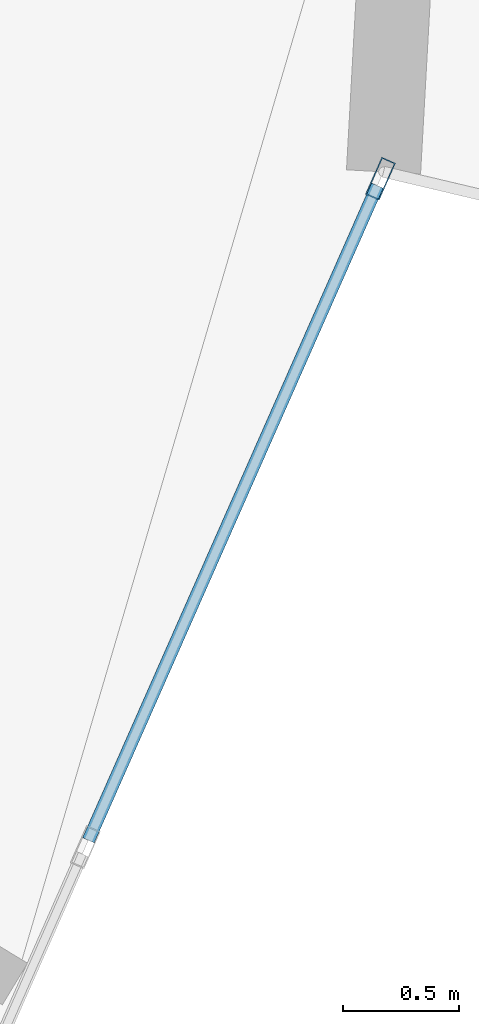
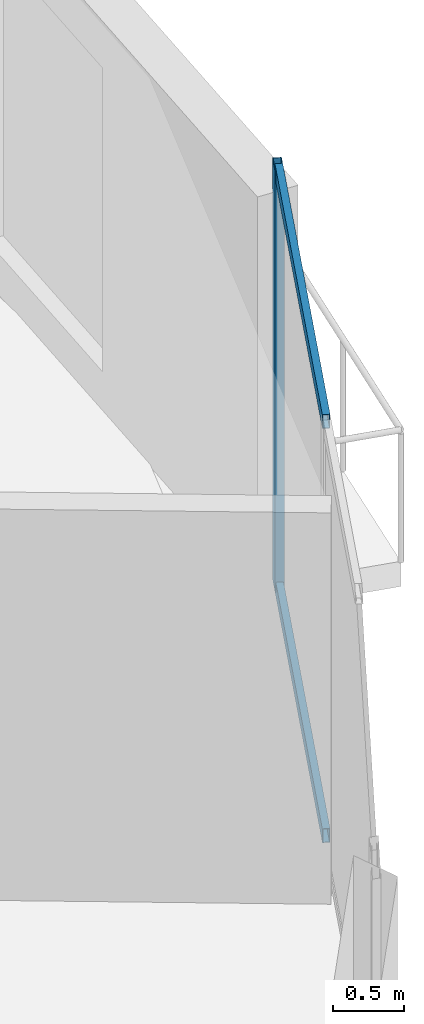
# One storey, part 11 of 25: 3 members, 1 element without a shape of its own.
"""IFC4 building model written with IfcOpenShell, lengths in metres."""

from ifc_helpers import new_model, si_unit, direction, frame, origin, origin_2d, place, context, subcontext, project, spatial, hollow_rectangle, extrude, source, transform, mapped, material, layer, layer_set, material_profile, profile_set, type_object, element, aggregate, save


model = new_model("IFC4")

# Units and contexts
model_context = context("Model", 3, precision=1e-05, world=origin(), true_north=direction((0.0, 1.0)))
body_context = subcontext(model_context, "Body", "Model", "MODEL_VIEW")
ifc_project = project(units=[si_unit("LENGTHUNIT", "METRE"), si_unit("AREAUNIT", "SQUARE_METRE"), si_unit("VOLUMEUNIT", "CUBIC_METRE"), si_unit("PLANEANGLEUNIT", "RADIAN"), si_unit("MASSUNIT", "GRAM", prefix="KILO")], contexts=[model_context])

# Site, building, storey
site_placement = place(None, origin())
site = spatial("IfcSite", under=ifc_project, at=site_placement, CompositionType="ELEMENT")
building_placement = place(site_placement, origin())
building = spatial("IfcBuilding", under=site, at=building_placement, Name="Solvirekh Grand Hotel", CompositionType="ELEMENT")
storey_placement = place(building_placement, frame((0.0, 0.0, 117.0)))
storey = spatial("IfcBuildingStorey", under=building, at=storey_placement, Name="L29", CompositionType="ELEMENT", Elevation=117.0)

# Curtain wall, members
ifc_material = material(Name="Anodized Bronze Aluminium 6063-T6", Category="aluminium")
ifc_layer = layer(ifc_material, 0.175048828125)
ifc_layer_set = layer_set([ifc_layer], Name="Anodized Bronze Aluminium 6063-T6")
curtain_wall_type = type_object("IfcCurtainWallType", Name="CW_Sys3_MidZoneFlushBronzeCW", PredefinedType="NOTDEFINED", material=ifc_layer_set)
curtain_wall_placement = place(storey_placement, origin())
curtain_wall = element("IfcCurtainWall", 1, at=curtain_wall_placement, inside=storey, type_object=curtain_wall_type, Name="L29 unitised bronze-glass curtain wall CW-L29-C01", PredefinedType="NOTDEFINED")
ifc_material_profile_1 = material_profile(ifc_material, hollow_rectangle(XDim=0.06494140625, YDim=0.175048828125, WallThickness=0.0048828125, at=origin_2d()), Name="ALU RHS 175X65X5")
ifc_profile_set_1 = profile_set([ifc_material_profile_1], Name="Anodized Bronze Aluminium 6063-T6")
member_type_1 = type_object("IfcMemberType", Name="CWMullion_Sys3", PredefinedType="MULLION", material=ifc_profile_set_1)
shared_shape_1 = source(origin(), body_context, "Body", "SweptSolid", [
    extrude(hollow_rectangle(XDim=0.06494140625, YDim=0.175048828125, WallThickness=0.0048828125, at=origin_2d()), origin(), (0.0, 0.0, 1.0), 3.60009765625),
])
member_1_placement = place(storey_placement, frame((21.3798828125, -7.959716796875, 0.0), z_axis=(0.0, 0.0, 1.0), x_axis=(-0.914818852712, 0.403864416262, 0.0)))
member_1 = element("IfcMember", 2, at=member_1_placement, type_object=member_type_1, Name="U03 mullion 3", PredefinedType="MULLION", context=body_context, shape_type="MappedRepresentation", body=[
    mapped(shared_shape_1, transform((0.0, 0.0, 0.0), x_axis=(1.0, 0.0, 0.0), y_axis=(0.0, 1.0, 0.0), z_axis=(0.0, 0.0, 1.0), scale=1.0)),
])
ifc_material_profile_2 = material_profile(ifc_material, hollow_rectangle(XDim=0.054931640625, YDim=0.1201171875, WallThickness=0.00390625, at=origin_2d()), Name="ALU RHS 120X55X4")
ifc_profile_set_2 = profile_set([ifc_material_profile_2], Name="Anodized Bronze Aluminium 6063-T6")
member_type_2 = type_object("IfcMemberType", Name="CWTransom_Sys3", PredefinedType="USERDEFINED", material=ifc_profile_set_2)
shared_shape_2 = source(origin(), body_context, "Body", "SweptSolid", [
    extrude(hollow_rectangle(XDim=0.054931640625, YDim=0.1201171875, WallThickness=0.00390625, at=origin_2d()), origin(), (0.0, 0.0, 1.0), 3.086669921875),
])
member_2_placement = place(storey_placement, frame((20.1201171875, -10.813232421875, 0.027587890625), z_axis=(0.403862189327, 0.914819835832, 0.0), x_axis=(-0.914819835832, 0.403862189327, 0.0)))
member_2 = element("IfcMember", 3, at=member_2_placement, type_object=member_type_2, Name="U03 transom 2.1", ObjectType="TRANSOM", PredefinedType="USERDEFINED", context=body_context, shape_type="MappedRepresentation", body=[
    mapped(shared_shape_2, transform((0.0, 0.0, 0.0), x_axis=(1.0, 0.0, 0.0), y_axis=(0.0, 1.0, 0.0), z_axis=(0.0, 0.0, 1.0), scale=1.0)),
])
member_3_placement = place(storey_placement, frame((20.1201171875, -10.813232421875, 3.572509765625), z_axis=(0.403862189327, 0.914819835832, 0.0), x_axis=(-0.914819835832, 0.403862189327, 0.0)))
member_3 = element("IfcMember", 4, at=member_3_placement, type_object=member_type_2, Name="U03 transom 2.2", ObjectType="TRANSOM", PredefinedType="USERDEFINED", context=body_context, shape_type="MappedRepresentation", body=[
    mapped(shared_shape_2, transform((0.0, 0.0, 0.0), x_axis=(1.0, 0.0, 0.0), y_axis=(0.0, 1.0, 0.0), z_axis=(0.0, 0.0, 1.0), scale=1.0)),
])
aggregate(curtain_wall, [member_1, member_2, member_3])

save(model, "model.ifc")
